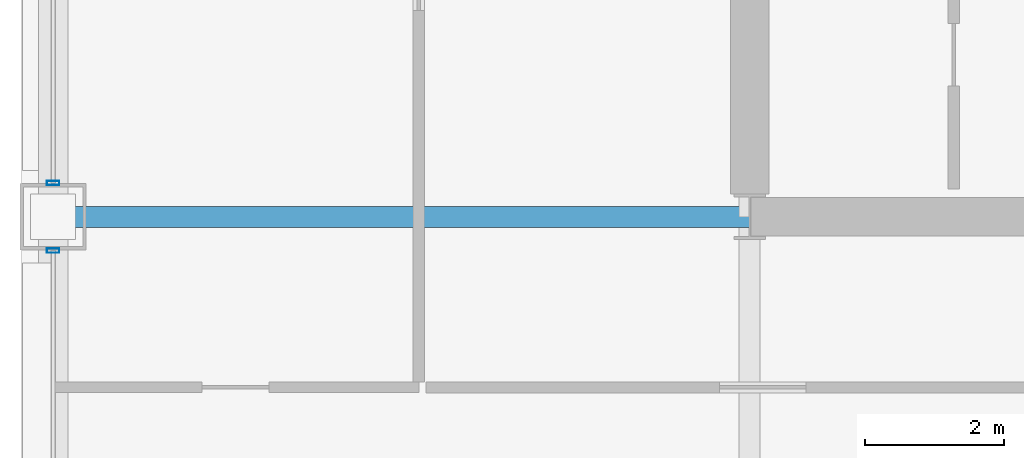
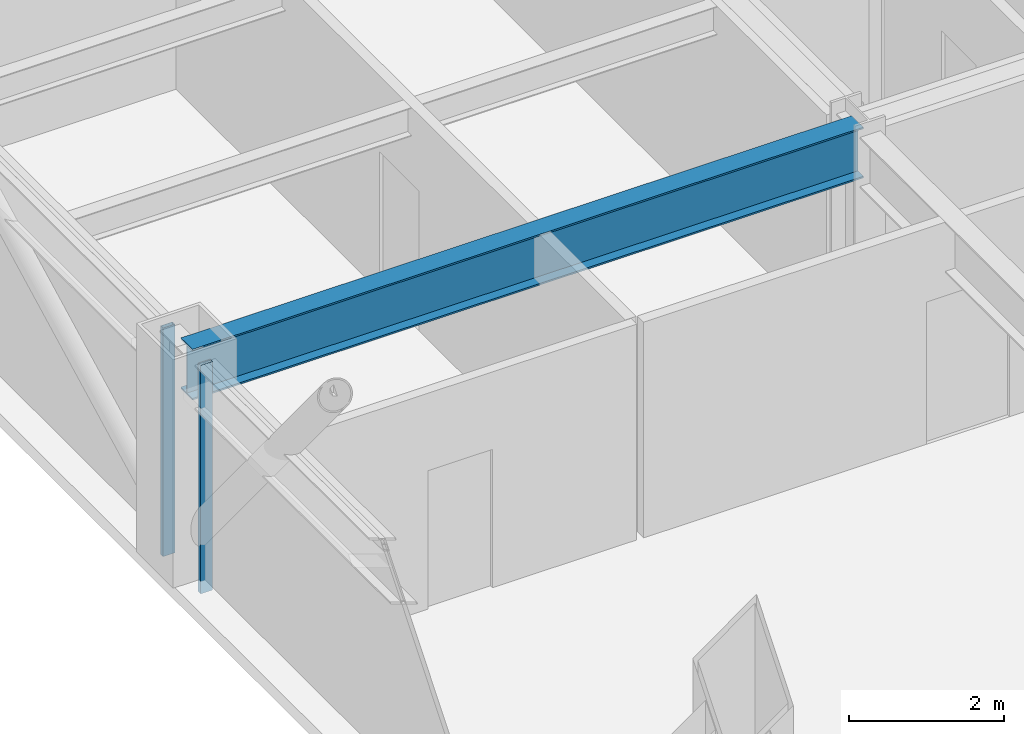
# One storey, part 6 of 34: 2 members, 1 beam, 2 elements without a shape of their own.
"""IFC4 building model written with IfcOpenShell, lengths in metres."""

from ifc_helpers import new_model, si_unit, direction, frame, origin, origin_2d, place, context, subcontext, project, spatial, hollow_rectangle, i_section, extrude, material, layer, layer_set, material_profile, profile_set, type_object, element, aggregate, save


model = new_model("IFC4")

# Units and contexts
model_context = context("Model", 3, precision=1e-05, world=origin(), true_north=direction((0.0, 1.0)))
body_context = subcontext(model_context, "Body", "Model", "MODEL_VIEW")
ifc_project = project(units=[si_unit("LENGTHUNIT", "METRE"), si_unit("AREAUNIT", "SQUARE_METRE"), si_unit("VOLUMEUNIT", "CUBIC_METRE"), si_unit("PLANEANGLEUNIT", "RADIAN"), si_unit("MASSUNIT", "GRAM", prefix="KILO")], contexts=[model_context])

# Site, building, storey
site_placement = place(None, origin())
site = spatial("IfcSite", under=ifc_project, at=site_placement, CompositionType="ELEMENT")
building_placement = place(site_placement, origin())
building = spatial("IfcBuilding", under=site, at=building_placement, Name="Brelmoor Portico Tower", CompositionType="ELEMENT")
storey_placement = place(building_placement, frame((0.0, 0.0, 45.60009765625)))
storey = spatial("IfcBuildingStorey", under=building, at=storey_placement, Name="L11", CompositionType="ELEMENT", Elevation=45.60009765625)

# Beam
ifc_material_1 = material(Name="Steel Q355B", Category="steel")
ifc_material_profile_1 = material_profile(ifc_material_1, i_section(OverallWidth=0.300048828125, OverallDepth=0.800048828125, WebThickness=0.013916015625, FlangeThickness=0.02587890625, at=origin_2d()), Name="HN 800x300x14x26")
ifc_profile_set_1 = profile_set([ifc_material_profile_1], Name="Steel Q355B")
beam_type = type_object("IfcBeamType", Name="BM-PG-800", PredefinedType="BEAM", material=ifc_profile_set_1)
beam_placement = place(storey_placement, frame((-24.550048828125, -9.75, 3.0), z_axis=(1.0, 0.0, 0.0), x_axis=(0.0, 1.0, 0.0)))
element("IfcBeam", 1, at=beam_placement, inside=storey, type_object=beam_type, Name="L11 Primary Floor Girder PG-19", PredefinedType="BEAM", context=body_context, shape_type="SweptSolid", body=[
    extrude(i_section(OverallWidth=0.300048828125, OverallDepth=0.800048828125, WebThickness=0.013916015625, FlangeThickness=0.02587890625, at=origin_2d()), origin(), (0.0, 0.0, 1.0), 10.0),
])

# Curtain wall, member
ifc_material_2 = material(Name="Anodised Aluminium Alloy 6063-T6", Category="aluminium")
ifc_layer = layer(ifc_material_2, 0.179931640625)
ifc_layer_set = layer_set([ifc_layer], Name="Anodised Aluminium Alloy 6063-T6")
curtain_wall_type = type_object("IfcCurtainWallType", Name="CW-TOWER-Z1-XB", PredefinedType="NOTDEFINED", material=ifc_layer_set)
curtain_wall_1_placement = place(storey_placement, origin())
curtain_wall_1 = element("IfcCurtainWall", 2, at=curtain_wall_1_placement, inside=storey, type_object=curtain_wall_type, Name="L11 Curtain Wall CW-L11-03-1", PredefinedType="NOTDEFINED")
ifc_material_profile_2 = material_profile(ifc_material_2, hollow_rectangle(XDim=0.06494140625, YDim=0.179931640625, WallThickness=0.00390625, at=origin_2d()), Name="ALU MULLION 65x180")
ifc_profile_set_2 = profile_set([ifc_material_profile_2], Name="Anodised Aluminium Alloy 6063-T6")
member_type = type_object("IfcMemberType", Name="MB-CW-MULL-180", PredefinedType="MULLION", material=ifc_profile_set_2)
member_1_placement = place(storey_placement, frame((-24.550048828125, -10.235107421875, -0.2001953125), z_axis=(0.0, 0.0, 1.0), x_axis=(0.0, 1.0, 0.0)))
member_1 = element("IfcMember", 3, at=member_1_placement, type_object=member_type, Name="CW-L11-03-1 Mullion 01", PredefinedType="MULLION", context=body_context, shape_type="SweptSolid", body=[
    extrude(hollow_rectangle(XDim=0.06494140625, YDim=0.179931640625, WallThickness=0.00390625, at=origin_2d()), origin(), (0.0, 0.0, 1.0), 3.60009765625),
])
aggregate(curtain_wall_1, [member_1])

curtain_wall_2_placement = place(storey_placement, origin())
curtain_wall_2 = element("IfcCurtainWall", 4, at=curtain_wall_2_placement, inside=storey, type_object=curtain_wall_type, Name="L11 Curtain Wall CW-L11-03-2", PredefinedType="NOTDEFINED")
member_2_placement = place(storey_placement, frame((-24.550048828125, -9.264892578125, -0.2001953125), z_axis=(0.0, 0.0, 1.0), x_axis=(0.0, 1.0, 0.0)))
member_2 = element("IfcMember", 5, at=member_2_placement, type_object=member_type, Name="CW-L11-03-2 Mullion 00", PredefinedType="MULLION", context=body_context, shape_type="SweptSolid", body=[
    extrude(hollow_rectangle(XDim=0.06494140625, YDim=0.179931640625, WallThickness=0.00390625, at=origin_2d()), origin(), (0.0, 0.0, 1.0), 3.60009765625),
])
aggregate(curtain_wall_2, [member_2])

save(model, "model.ifc")
